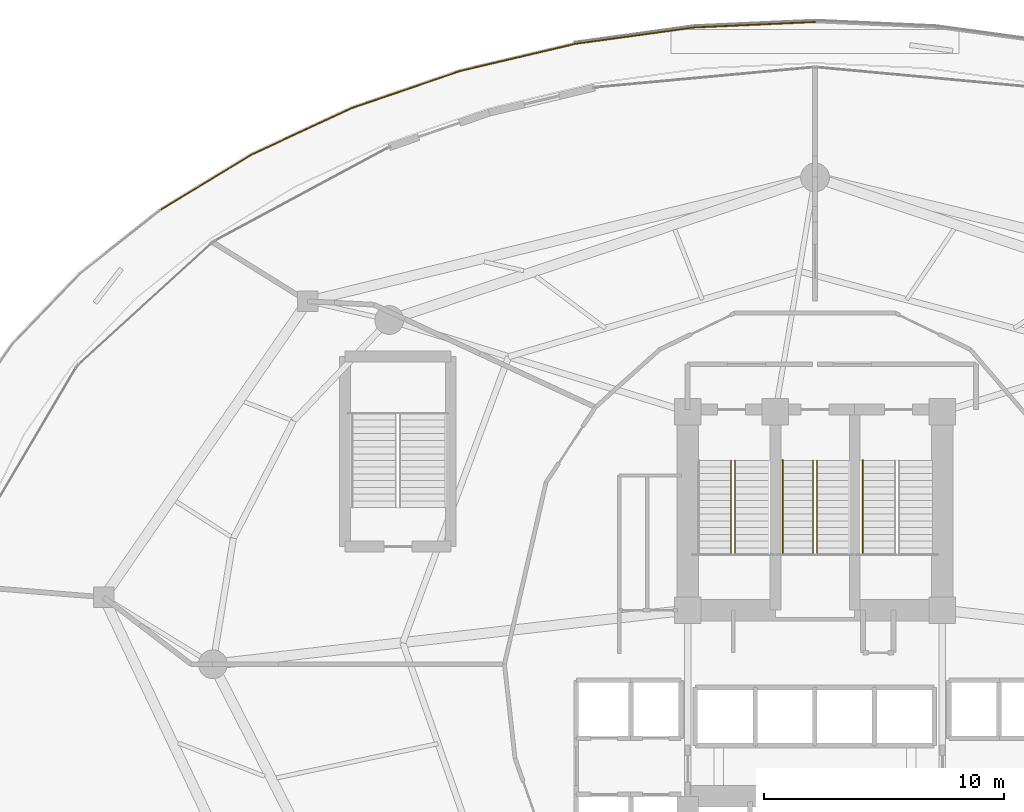
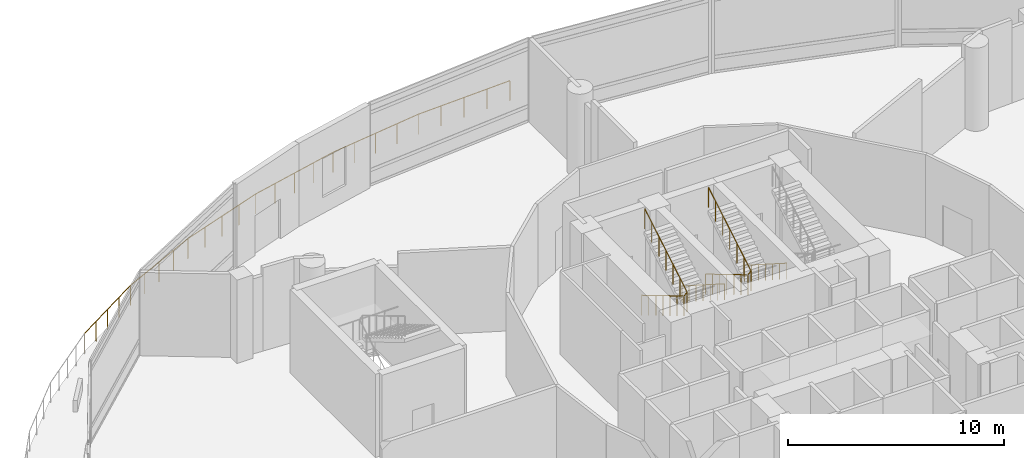
# One storey, part 34 of 36: 5 railings.
"""IFC4 building model written with IfcOpenShell, lengths in metres."""

from ifc_helpers import new_model, si_unit, direction, frame, origin, place, context, subcontext, project, spatial, polyline, outline, extrude, material, type_object, element, save


model = new_model("IFC4")

# Units and contexts
model_context = context("Model", 3, precision=1e-05, world=origin(), true_north=direction((0.0, 1.0)))
body_context = subcontext(model_context, "Body", "Model", "MODEL_VIEW")
ifc_project = project(units=[si_unit("LENGTHUNIT", "METRE"), si_unit("AREAUNIT", "SQUARE_METRE"), si_unit("VOLUMEUNIT", "CUBIC_METRE"), si_unit("PLANEANGLEUNIT", "RADIAN"), si_unit("MASSUNIT", "GRAM", prefix="KILO")], contexts=[model_context])

# Site, building, storey
site_placement = place(None, origin())
site = spatial("IfcSite", under=ifc_project, at=site_placement, CompositionType="ELEMENT")
building_placement = place(site_placement, origin())
building = spatial("IfcBuilding", under=site, at=building_placement, Name="Nuhasar Tower", CompositionType="ELEMENT")
storey_placement = place(building_placement, frame((0.0, 0.0, 11.0)))
storey = spatial("IfcBuildingStorey", under=building, at=storey_placement, Name="L02", CompositionType="ELEMENT", Elevation=11.0)

# Railings
ifc_material_1 = material(Name="Steel S355", Category="steel")
railing_type_1 = type_object("IfcRailingType", Name="RLG-STAIR-GUARD-1150", PredefinedType="GUARDRAIL", material=ifc_material_1)
railing_1_placement = place(storey_placement, frame((35.510009765625, 35.284912109375, 0.1669921875)))
element("IfcRailing", 1, at=railing_1_placement, inside=storey, type_object=railing_type_1, Name="L02 Stair ST-01 Guardrail SLT", PredefinedType="GUARDRAIL", context=body_context, shape_type="SweptSolid", body=[
    extrude(outline(polyline([(0.024169921875, 0.0), (0.01708984375, 0.01708984375), (0.0, 0.024169921875), (-0.01708984375, 0.01708984375), (-0.024169921875, 0.0), (-0.01708984375, -0.01708984375), (0.0, -0.024169921875), (0.01708984375, -0.01708984375), (0.024169921875, 0.0)])), frame((0.0, 0.0, 1.1259765625), z_axis=(0.0, -0.85931976652, 0.511438695121), x_axis=(1.0, 0.0, 0.0)), (0.0, 0.0, 1.0), 4.561767578125),
    extrude(outline(polyline([(0.024169921875, 0.0), (0.01708984375, 0.01708984375), (0.0, 0.024169921875), (-0.01708984375, 0.01708984375), (-0.024169921875, 0.0), (-0.01708984375, -0.01708984375), (0.0, -0.024169921875), (0.01708984375, -0.01708984375), (0.024169921875, 0.0)])), frame((0.0, -3.919921875, 3.458984375), z_axis=(0.691630103864, 0.0, 0.722251894722), x_axis=(0.0, 1.0, 0.0)), (0.0, 0.0, 1.0), 0.231201171875),
    extrude(outline(polyline([(0.024169921875, 0.0), (0.01708984375, 0.01708984375), (0.0, 0.024169921875), (-0.01708984375, 0.01708984375), (-0.024169921875, 0.0), (-0.01708984375, -0.01708984375), (0.0, -0.024169921875), (0.01708984375, -0.01708984375), (0.024169921875, 0.0)])), frame((0.159912109375, -3.919921875, 3.6259765625), z_axis=(0.0, 0.85931976652, 0.511438695121), x_axis=(-1.0, 0.0, 0.0)), (0.0, 0.0, 1.0), 4.561767578125),
    extrude(outline(polyline([(0.02099609375, 0.0), (0.014892578125, 0.014892578125), (0.0, 0.02099609375), (-0.014892578125, 0.014892578125), (-0.02099609375, 0.0), (-0.014892578125, -0.014892578125), (0.0, -0.02099609375), (0.014892578125, -0.014892578125), (0.02099609375, 0.0)])), origin(), (0.0, 0.0, 1.0), 1.101806640625),
    extrude(outline(polyline([(0.02099609375, 0.0), (0.014892578125, 0.014892578125), (0.0, 0.02099609375), (-0.014892578125, 0.014892578125), (-0.02099609375, 0.0), (-0.014892578125, -0.014892578125), (0.0, -0.02099609375), (0.014892578125, -0.014892578125), (0.02099609375, 0.0)])), frame((0.0, -0.6533203125, 0.388916015625)), (0.0, 0.0, 1.0), 1.101806640625),
    extrude(outline(polyline([(0.02099609375, 0.0), (0.014892578125, 0.014892578125), (0.0, 0.02099609375), (-0.014892578125, 0.014892578125), (-0.02099609375, 0.0), (-0.014892578125, -0.014892578125), (0.0, -0.02099609375), (0.014892578125, -0.014892578125), (0.02099609375, 0.0)])), frame((0.0, -1.306640625, 0.777587890625)), (0.0, 0.0, 1.0), 1.101806640625),
    extrude(outline(polyline([(0.02099609375, 0.0), (0.014892578125, 0.014892578125), (0.0, 0.02099609375), (-0.014892578125, 0.014892578125), (-0.02099609375, 0.0), (-0.014892578125, -0.014892578125), (0.0, -0.02099609375), (0.014892578125, -0.014892578125), (0.02099609375, 0.0)])), frame((0.0, -1.9599609375, 1.16650390625)), (0.0, 0.0, 1.0), 1.101806640625),
    extrude(outline(polyline([(0.02099609375, 0.0), (0.014892578125, 0.014892578125), (0.0, 0.02099609375), (-0.014892578125, 0.014892578125), (-0.02099609375, 0.0), (-0.014892578125, -0.014892578125), (0.0, -0.02099609375), (0.014892578125, -0.014892578125), (0.02099609375, 0.0)])), frame((0.0, -2.61328125, 1.555419921875)), (0.0, 0.0, 1.0), 1.101806640625),
    extrude(outline(polyline([(0.02099609375, 0.0), (0.014892578125, 0.014892578125), (0.0, 0.02099609375), (-0.014892578125, 0.014892578125), (-0.02099609375, 0.0), (-0.014892578125, -0.014892578125), (0.0, -0.02099609375), (0.014892578125, -0.014892578125), (0.02099609375, 0.0)])), frame((0.0, -3.2666015625, 1.944091796875)), (0.0, 0.0, 1.0), 1.101806640625),
    extrude(outline(polyline([(0.02099609375, 0.0), (0.014892578125, 0.014892578125), (0.0, 0.02099609375), (-0.014892578125, 0.014892578125), (-0.02099609375, 0.0), (-0.014892578125, -0.014892578125), (0.0, -0.02099609375), (0.014892578125, -0.014892578125), (0.02099609375, 0.0)])), frame((0.0, -3.919921875, 2.3330078125)), (0.0, 0.0, 1.0), 1.101806640625),
    extrude(outline(polyline([(0.02099609375, 0.0), (0.014892578125, 0.014892578125), (0.0, 0.02099609375), (-0.014892578125, 0.014892578125), (-0.02099609375, 0.0), (-0.014892578125, -0.014892578125), (0.0, -0.02099609375), (0.014892578125, -0.014892578125), (0.02099609375, 0.0)])), frame((0.159912109375, -3.919921875, 2.5)), (0.0, 0.0, 1.0), 1.101806640625),
    extrude(outline(polyline([(0.02099609375, 0.0), (0.014892578125, 0.014892578125), (0.0, 0.02099609375), (-0.014892578125, 0.014892578125), (-0.02099609375, 0.0), (-0.014892578125, -0.014892578125), (0.0, -0.02099609375), (0.014892578125, -0.014892578125), (0.02099609375, 0.0)])), frame((0.159912109375, -3.2666015625, 2.888916015625)), (0.0, 0.0, 1.0), 1.101806640625),
    extrude(outline(polyline([(0.02099609375, 0.0), (0.014892578125, 0.014892578125), (0.0, 0.02099609375), (-0.014892578125, 0.014892578125), (-0.02099609375, 0.0), (-0.014892578125, -0.014892578125), (0.0, -0.02099609375), (0.014892578125, -0.014892578125), (0.02099609375, 0.0)])), frame((0.159912109375, -2.61328125, 3.277587890625)), (0.0, 0.0, 1.0), 1.101806640625),
    extrude(outline(polyline([(0.02099609375, 0.0), (0.014892578125, 0.014892578125), (0.0, 0.02099609375), (-0.014892578125, 0.014892578125), (-0.02099609375, 0.0), (-0.014892578125, -0.014892578125), (0.0, -0.02099609375), (0.014892578125, -0.014892578125), (0.02099609375, 0.0)])), frame((0.159912109375, -1.9599609375, 3.66650390625)), (0.0, 0.0, 1.0), 1.101806640625),
    extrude(outline(polyline([(0.02099609375, 0.0), (0.014892578125, 0.014892578125), (0.0, 0.02099609375), (-0.014892578125, 0.014892578125), (-0.02099609375, 0.0), (-0.014892578125, -0.014892578125), (0.0, -0.02099609375), (0.014892578125, -0.014892578125), (0.02099609375, 0.0)])), frame((0.159912109375, -1.306640625, 4.055419921875)), (0.0, 0.0, 1.0), 1.101806640625),
    extrude(outline(polyline([(0.02099609375, 0.0), (0.014892578125, 0.014892578125), (0.0, 0.02099609375), (-0.014892578125, 0.014892578125), (-0.02099609375, 0.0), (-0.014892578125, -0.014892578125), (0.0, -0.02099609375), (0.014892578125, -0.014892578125), (0.02099609375, 0.0)])), frame((0.159912109375, -0.6533203125, 4.444091796875)), (0.0, 0.0, 1.0), 1.101806640625),
    extrude(outline(polyline([(0.02099609375, 0.0), (0.014892578125, 0.014892578125), (0.0, 0.02099609375), (-0.014892578125, 0.014892578125), (-0.02099609375, 0.0), (-0.014892578125, -0.014892578125), (0.0, -0.02099609375), (0.014892578125, -0.014892578125), (0.02099609375, 0.0)])), frame((0.159912109375, 0.0, 4.8330078125)), (0.0, 0.0, 1.0), 1.101806640625),
])
railing_2_placement = place(storey_placement, frame((38.919921875, 35.284912109375, 0.1669921875)))
element("IfcRailing", 2, at=railing_2_placement, inside=storey, type_object=railing_type_1, Name="L02 Stair ST-03 Guardrail SLT", PredefinedType="GUARDRAIL", context=body_context, shape_type="SweptSolid", body=[
    extrude(outline(polyline([(0.024169921875, 0.0), (0.01708984375, 0.01708984375), (0.0, 0.024169921875), (-0.01708984375, 0.01708984375), (-0.024169921875, 0.0), (-0.01708984375, -0.01708984375), (0.0, -0.024169921875), (0.01708984375, -0.01708984375), (0.024169921875, 0.0)])), frame((0.0, 0.0, 1.1259765625), z_axis=(0.0, -0.85931976652, 0.511438695121), x_axis=(1.0, 0.0, 0.0)), (0.0, 0.0, 1.0), 4.561767578125),
    extrude(outline(polyline([(0.024169921875, 0.0), (0.01708984375, 0.01708984375), (0.0, 0.024169921875), (-0.01708984375, 0.01708984375), (-0.024169921875, 0.0), (-0.01708984375, -0.01708984375), (0.0, -0.024169921875), (0.01708984375, -0.01708984375), (0.024169921875, 0.0)])), frame((0.0, -3.919921875, 3.458984375), z_axis=(0.692180321226, 0.0, 0.72172460323), x_axis=(0.0, 1.0, 0.0)), (0.0, 0.0, 1.0), 0.2314453125),
    extrude(outline(polyline([(0.024169921875, 0.0), (0.01708984375, 0.01708984375), (0.0, 0.024169921875), (-0.01708984375, 0.01708984375), (-0.024169921875, 0.0), (-0.01708984375, -0.01708984375), (0.0, -0.024169921875), (0.01708984375, -0.01708984375), (0.024169921875, 0.0)])), frame((0.16015625, -3.919921875, 3.6259765625), z_axis=(0.0, 0.85931976652, 0.511438695121), x_axis=(-1.0, 0.0, 0.0)), (0.0, 0.0, 1.0), 4.561767578125),
    extrude(outline(polyline([(0.02099609375, 0.0), (0.014892578125, 0.014892578125), (0.0, 0.02099609375), (-0.014892578125, 0.014892578125), (-0.02099609375, 0.0), (-0.014892578125, -0.014892578125), (0.0, -0.02099609375), (0.014892578125, -0.014892578125), (0.02099609375, 0.0)])), origin(), (0.0, 0.0, 1.0), 1.101806640625),
    extrude(outline(polyline([(0.02099609375, 0.0), (0.014892578125, 0.014892578125), (0.0, 0.02099609375), (-0.014892578125, 0.014892578125), (-0.02099609375, 0.0), (-0.014892578125, -0.014892578125), (0.0, -0.02099609375), (0.014892578125, -0.014892578125), (0.02099609375, 0.0)])), frame((0.0, -0.6533203125, 0.388916015625)), (0.0, 0.0, 1.0), 1.101806640625),
    extrude(outline(polyline([(0.02099609375, 0.0), (0.014892578125, 0.014892578125), (0.0, 0.02099609375), (-0.014892578125, 0.014892578125), (-0.02099609375, 0.0), (-0.014892578125, -0.014892578125), (0.0, -0.02099609375), (0.014892578125, -0.014892578125), (0.02099609375, 0.0)])), frame((0.0, -1.306640625, 0.777587890625)), (0.0, 0.0, 1.0), 1.101806640625),
    extrude(outline(polyline([(0.02099609375, 0.0), (0.014892578125, 0.014892578125), (0.0, 0.02099609375), (-0.014892578125, 0.014892578125), (-0.02099609375, 0.0), (-0.014892578125, -0.014892578125), (0.0, -0.02099609375), (0.014892578125, -0.014892578125), (0.02099609375, 0.0)])), frame((0.0, -1.9599609375, 1.16650390625)), (0.0, 0.0, 1.0), 1.101806640625),
    extrude(outline(polyline([(0.02099609375, 0.0), (0.014892578125, 0.014892578125), (0.0, 0.02099609375), (-0.014892578125, 0.014892578125), (-0.02099609375, 0.0), (-0.014892578125, -0.014892578125), (0.0, -0.02099609375), (0.014892578125, -0.014892578125), (0.02099609375, 0.0)])), frame((0.0, -2.61328125, 1.555419921875)), (0.0, 0.0, 1.0), 1.101806640625),
    extrude(outline(polyline([(0.02099609375, 0.0), (0.014892578125, 0.014892578125), (0.0, 0.02099609375), (-0.014892578125, 0.014892578125), (-0.02099609375, 0.0), (-0.014892578125, -0.014892578125), (0.0, -0.02099609375), (0.014892578125, -0.014892578125), (0.02099609375, 0.0)])), frame((0.0, -3.2666015625, 1.944091796875)), (0.0, 0.0, 1.0), 1.101806640625),
    extrude(outline(polyline([(0.02099609375, 0.0), (0.014892578125, 0.014892578125), (0.0, 0.02099609375), (-0.014892578125, 0.014892578125), (-0.02099609375, 0.0), (-0.014892578125, -0.014892578125), (0.0, -0.02099609375), (0.014892578125, -0.014892578125), (0.02099609375, 0.0)])), frame((0.0, -3.919921875, 2.3330078125)), (0.0, 0.0, 1.0), 1.101806640625),
    extrude(outline(polyline([(0.02099609375, 0.0), (0.014892578125, 0.014892578125), (0.0, 0.02099609375), (-0.014892578125, 0.014892578125), (-0.02099609375, 0.0), (-0.014892578125, -0.014892578125), (0.0, -0.02099609375), (0.014892578125, -0.014892578125), (0.02099609375, 0.0)])), frame((0.16015625, -3.919921875, 2.5)), (0.0, 0.0, 1.0), 1.101806640625),
    extrude(outline(polyline([(0.02099609375, 0.0), (0.014892578125, 0.014892578125), (0.0, 0.02099609375), (-0.014892578125, 0.014892578125), (-0.02099609375, 0.0), (-0.014892578125, -0.014892578125), (0.0, -0.02099609375), (0.014892578125, -0.014892578125), (0.02099609375, 0.0)])), frame((0.16015625, -3.2666015625, 2.888916015625)), (0.0, 0.0, 1.0), 1.101806640625),
    extrude(outline(polyline([(0.02099609375, 0.0), (0.014892578125, 0.014892578125), (0.0, 0.02099609375), (-0.014892578125, 0.014892578125), (-0.02099609375, 0.0), (-0.014892578125, -0.014892578125), (0.0, -0.02099609375), (0.014892578125, -0.014892578125), (0.02099609375, 0.0)])), frame((0.16015625, -2.61328125, 3.277587890625)), (0.0, 0.0, 1.0), 1.101806640625),
    extrude(outline(polyline([(0.02099609375, 0.0), (0.014892578125, 0.014892578125), (0.0, 0.02099609375), (-0.014892578125, 0.014892578125), (-0.02099609375, 0.0), (-0.014892578125, -0.014892578125), (0.0, -0.02099609375), (0.014892578125, -0.014892578125), (0.02099609375, 0.0)])), frame((0.16015625, -1.9599609375, 3.66650390625)), (0.0, 0.0, 1.0), 1.101806640625),
    extrude(outline(polyline([(0.02099609375, 0.0), (0.014892578125, 0.014892578125), (0.0, 0.02099609375), (-0.014892578125, 0.014892578125), (-0.02099609375, 0.0), (-0.014892578125, -0.014892578125), (0.0, -0.02099609375), (0.014892578125, -0.014892578125), (0.02099609375, 0.0)])), frame((0.16015625, -1.306640625, 4.055419921875)), (0.0, 0.0, 1.0), 1.101806640625),
    extrude(outline(polyline([(0.02099609375, 0.0), (0.014892578125, 0.014892578125), (0.0, 0.02099609375), (-0.014892578125, 0.014892578125), (-0.02099609375, 0.0), (-0.014892578125, -0.014892578125), (0.0, -0.02099609375), (0.014892578125, -0.014892578125), (0.02099609375, 0.0)])), frame((0.16015625, -0.6533203125, 4.444091796875)), (0.0, 0.0, 1.0), 1.101806640625),
    extrude(outline(polyline([(0.02099609375, 0.0), (0.014892578125, 0.014892578125), (0.0, 0.02099609375), (-0.014892578125, 0.014892578125), (-0.02099609375, 0.0), (-0.014892578125, -0.014892578125), (0.0, -0.02099609375), (0.014892578125, -0.014892578125), (0.02099609375, 0.0)])), frame((0.16015625, 0.0, 4.8330078125)), (0.0, 0.0, 1.0), 1.101806640625),
])
ifc_material_2 = material(Name="Stainless Steel 316L", Category="steel")
railing_type_2 = type_object("IfcRailingType", Name="RLG-STAIR-HAND-920", PredefinedType="HANDRAIL", material=ifc_material_2)
railing_3_placement = place(storey_placement, frame((37.659912109375, 35.284912109375, 0.1669921875)))
element("IfcRailing", 3, at=railing_3_placement, inside=storey, type_object=railing_type_2, Name="L02 Stair ST-03 Handrail HND1", PredefinedType="HANDRAIL", context=body_context, shape_type="SweptSolid", body=[
    extrude(outline(polyline([(0.024169921875, 0.0), (0.01708984375, 0.01708984375), (0.0, 0.024169921875), (-0.01708984375, 0.01708984375), (-0.024169921875, 0.0), (-0.01708984375, -0.01708984375), (0.0, -0.024169921875), (0.01708984375, -0.01708984375), (0.024169921875, 0.0)])), frame((0.0, 0.0, 0.89599609375), z_axis=(0.0, -0.843124831705, 0.537717879712), x_axis=(1.0, 0.0, 0.0)), (0.0, 0.0, 1.0), 4.649169921875),
    extrude(outline(polyline([(0.02099609375, 0.0), (0.014892578125, 0.014892578125), (0.0, 0.02099609375), (-0.014892578125, 0.014892578125), (-0.02099609375, 0.0), (-0.014892578125, -0.014892578125), (0.0, -0.02099609375), (0.014892578125, -0.014892578125), (0.02099609375, 0.0)])), origin(), (0.0, 0.0, 1.0), 0.871826171875),
    extrude(outline(polyline([(0.02099609375, 0.0), (0.014892578125, 0.014892578125), (0.0, 0.02099609375), (-0.014892578125, 0.014892578125), (-0.02099609375, 0.0), (-0.014892578125, -0.014892578125), (0.0, -0.02099609375), (0.014892578125, -0.014892578125), (0.02099609375, 0.0)])), frame((0.0, -0.6533203125, 0.416748046875)), (0.0, 0.0, 1.0), 0.871826171875),
    extrude(outline(polyline([(0.02099609375, 0.0), (0.014892578125, 0.014892578125), (0.0, 0.02099609375), (-0.014892578125, 0.014892578125), (-0.02099609375, 0.0), (-0.014892578125, -0.014892578125), (0.0, -0.02099609375), (0.014892578125, -0.014892578125), (0.02099609375, 0.0)])), frame((0.0, -1.306640625, 0.833251953125)), (0.0, 0.0, 1.0), 0.871826171875),
    extrude(outline(polyline([(0.02099609375, 0.0), (0.014892578125, 0.014892578125), (0.0, 0.02099609375), (-0.014892578125, 0.014892578125), (-0.02099609375, 0.0), (-0.014892578125, -0.014892578125), (0.0, -0.02099609375), (0.014892578125, -0.014892578125), (0.02099609375, 0.0)])), frame((0.0, -1.9599609375, 1.25)), (0.0, 0.0, 1.0), 0.871826171875),
    extrude(outline(polyline([(0.02099609375, 0.0), (0.014892578125, 0.014892578125), (0.0, 0.02099609375), (-0.014892578125, 0.014892578125), (-0.02099609375, 0.0), (-0.014892578125, -0.014892578125), (0.0, -0.02099609375), (0.014892578125, -0.014892578125), (0.02099609375, 0.0)])), frame((0.0, -2.61328125, 1.666748046875)), (0.0, 0.0, 1.0), 0.871826171875),
    extrude(outline(polyline([(0.02099609375, 0.0), (0.014892578125, 0.014892578125), (0.0, 0.02099609375), (-0.014892578125, 0.014892578125), (-0.02099609375, 0.0), (-0.014892578125, -0.014892578125), (0.0, -0.02099609375), (0.014892578125, -0.014892578125), (0.02099609375, 0.0)])), frame((0.0, -3.2666015625, 2.083251953125)), (0.0, 0.0, 1.0), 0.871826171875),
    extrude(outline(polyline([(0.02099609375, 0.0), (0.014892578125, 0.014892578125), (0.0, 0.02099609375), (-0.014892578125, 0.014892578125), (-0.02099609375, 0.0), (-0.014892578125, -0.014892578125), (0.0, -0.02099609375), (0.014892578125, -0.014892578125), (0.02099609375, 0.0)])), frame((0.0, -3.919921875, 2.5)), (0.0, 0.0, 1.0), 0.871826171875),
])
railing_4_placement = place(storey_placement, frame((40.989990234375, 35.284912109375, 0.1669921875)))
element("IfcRailing", 4, at=railing_4_placement, inside=storey, type_object=railing_type_2, Name="L02 Stair ST-02 Handrail HND1", PredefinedType="HANDRAIL", context=body_context, shape_type="SweptSolid", body=[
    extrude(outline(polyline([(0.024169921875, 0.0), (0.01708984375, 0.01708984375), (0.0, 0.024169921875), (-0.01708984375, 0.01708984375), (-0.024169921875, 0.0), (-0.01708984375, -0.01708984375), (0.0, -0.024169921875), (0.01708984375, -0.01708984375), (0.024169921875, 0.0)])), frame((0.0, 0.0, 0.89599609375), z_axis=(0.0, -0.843124831705, 0.537717879712), x_axis=(1.0, 0.0, 0.0)), (0.0, 0.0, 1.0), 4.649169921875),
    extrude(outline(polyline([(0.02099609375, 0.0), (0.014892578125, 0.014892578125), (0.0, 0.02099609375), (-0.014892578125, 0.014892578125), (-0.02099609375, 0.0), (-0.014892578125, -0.014892578125), (0.0, -0.02099609375), (0.014892578125, -0.014892578125), (0.02099609375, 0.0)])), origin(), (0.0, 0.0, 1.0), 0.871826171875),
    extrude(outline(polyline([(0.02099609375, 0.0), (0.014892578125, 0.014892578125), (0.0, 0.02099609375), (-0.014892578125, 0.014892578125), (-0.02099609375, 0.0), (-0.014892578125, -0.014892578125), (0.0, -0.02099609375), (0.014892578125, -0.014892578125), (0.02099609375, 0.0)])), frame((0.0, -0.6533203125, 0.416748046875)), (0.0, 0.0, 1.0), 0.871826171875),
    extrude(outline(polyline([(0.02099609375, 0.0), (0.014892578125, 0.014892578125), (0.0, 0.02099609375), (-0.014892578125, 0.014892578125), (-0.02099609375, 0.0), (-0.014892578125, -0.014892578125), (0.0, -0.02099609375), (0.014892578125, -0.014892578125), (0.02099609375, 0.0)])), frame((0.0, -1.306640625, 0.833251953125)), (0.0, 0.0, 1.0), 0.871826171875),
    extrude(outline(polyline([(0.02099609375, 0.0), (0.014892578125, 0.014892578125), (0.0, 0.02099609375), (-0.014892578125, 0.014892578125), (-0.02099609375, 0.0), (-0.014892578125, -0.014892578125), (0.0, -0.02099609375), (0.014892578125, -0.014892578125), (0.02099609375, 0.0)])), frame((0.0, -1.9599609375, 1.25)), (0.0, 0.0, 1.0), 0.871826171875),
    extrude(outline(polyline([(0.02099609375, 0.0), (0.014892578125, 0.014892578125), (0.0, 0.02099609375), (-0.014892578125, 0.014892578125), (-0.02099609375, 0.0), (-0.014892578125, -0.014892578125), (0.0, -0.02099609375), (0.014892578125, -0.014892578125), (0.02099609375, 0.0)])), frame((0.0, -2.61328125, 1.666748046875)), (0.0, 0.0, 1.0), 0.871826171875),
    extrude(outline(polyline([(0.02099609375, 0.0), (0.014892578125, 0.014892578125), (0.0, 0.02099609375), (-0.014892578125, 0.014892578125), (-0.02099609375, 0.0), (-0.014892578125, -0.014892578125), (0.0, -0.02099609375), (0.014892578125, -0.014892578125), (0.02099609375, 0.0)])), frame((0.0, -3.2666015625, 2.083251953125)), (0.0, 0.0, 1.0), 0.871826171875),
    extrude(outline(polyline([(0.02099609375, 0.0), (0.014892578125, 0.014892578125), (0.0, 0.02099609375), (-0.014892578125, 0.014892578125), (-0.02099609375, 0.0), (-0.014892578125, -0.014892578125), (0.0, -0.02099609375), (0.014892578125, -0.014892578125), (0.02099609375, 0.0)])), frame((0.0, -3.919921875, 2.5)), (0.0, 0.0, 1.0), 0.871826171875),
])
railing_type_3 = type_object("IfcRailingType", Name="RLG-TERR-1150", PredefinedType="BALUSTRADE", material=ifc_material_1)
railing_5_placement = place(storey_placement, frame((39.0, 53.52001953125, 0.0)))
element("IfcRailing", 5, at=railing_5_placement, inside=storey, type_object=railing_type_3, Name="L02 Bustan Terrace Perimeter Balustrade 03", PredefinedType="BALUSTRADE", context=body_context, shape_type="SweptSolid", body=[
    extrude(outline(polyline([(0.024169921875, 0.0), (0.01708984375, 0.01708984375), (0.0, 0.024169921875), (-0.01708984375, 0.01708984375), (-0.024169921875, 0.0), (-0.01708984375, -0.01708984375), (0.0, -0.024169921875), (0.01708984375, -0.01708984375), (0.024169921875, 0.0)])), frame((0.0, 0.0, 1.1259765625), z_axis=(-0.998964435698, -0.04549787039, 0.0), x_axis=(0.04549787039, -0.998964435698, 0.0)), (0.0, 0.0, 1.0), 5.033203125),
    extrude(outline(polyline([(0.024169921875, 0.0), (0.01708984375, 0.01708984375), (0.0, 0.024169921875), (-0.01708984375, 0.01708984375), (-0.024169921875, 0.0), (-0.01708984375, -0.01708984375), (0.0, -0.024169921875), (0.01708984375, -0.01708984375), (0.024169921875, 0.0)])), frame((-5.028076171875, -0.22900390625, 1.1259765625), z_axis=(-0.990640991668, -0.136493317151, 0.0), x_axis=(0.136493317151, -0.990640991668, 0.0)), (0.0, 0.0, 1.0), 4.988525390625),
    extrude(outline(polyline([(0.024169921875, 0.0), (0.01708984375, 0.01708984375), (0.0, 0.024169921875), (-0.01708984375, 0.01708984375), (-0.024169921875, 0.0), (-0.01708984375, -0.01708984375), (0.0, -0.024169921875), (0.01708984375, -0.01708984375), (0.024169921875, 0.0)])), frame((-9.969970703125, -0.909912109375, 1.1259765625), z_axis=(-0.973351806518, -0.229316943875, 0.0), x_axis=(0.229316943875, -0.973351806518, 0.0)), (0.0, 0.0, 1.0), 4.901611328125),
    extrude(outline(polyline([(0.024169921875, 0.0), (0.01708984375, 0.01708984375), (0.0, 0.024169921875), (-0.01708984375, 0.01708984375), (-0.024169921875, 0.0), (-0.01708984375, -0.01708984375), (0.0, -0.024169921875), (0.01708984375, -0.01708984375), (0.024169921875, 0.0)])), frame((-14.740966796875, -2.033935546875, 1.1259765625), z_axis=(-0.946154097258, -0.323716580115, 0.0), x_axis=(0.323716580115, -0.946154097258, 0.0)), (0.0, 0.0, 1.0), 4.776123046875),
    extrude(outline(polyline([(0.024169921875, 0.0), (0.01708984375, 0.01708984375), (0.0, 0.024169921875), (-0.01708984375, 0.01708984375), (-0.024169921875, 0.0), (-0.01708984375, -0.01708984375), (0.0, -0.024169921875), (0.01708984375, -0.01708984375), (0.024169921875, 0.0)])), frame((-19.260009765625, -3.580078125, 1.1259765625), z_axis=(-0.907255495287, -0.420579916629, 0.0), x_axis=(0.420579916629, -0.907255495287, 0.0)), (0.0, 0.0, 1.0), 4.6171875),
    extrude(outline(polyline([(0.024169921875, 0.0), (0.01708984375, 0.01708984375), (0.0, 0.024169921875), (-0.01708984375, 0.01708984375), (-0.024169921875, 0.0), (-0.01708984375, -0.01708984375), (0.0, -0.024169921875), (0.01708984375, -0.01708984375), (0.024169921875, 0.0)])), frame((-23.448974609375, -5.52197265625, 1.1259765625), z_axis=(-0.854478424692, -0.519486883122, 0.0), x_axis=(0.519486883122, -0.854478424692, 0.0)), (0.0, 0.0, 1.0), 4.39453125),
    extrude(outline(polyline([(0.02099609375, 0.0), (0.014892578125, 0.014892578125), (0.0, 0.02099609375), (-0.014892578125, 0.014892578125), (-0.02099609375, 0.0), (-0.014892578125, -0.014892578125), (0.0, -0.02099609375), (0.014892578125, -0.014892578125), (0.02099609375, 0.0)])), origin(), (0.0, 0.0, 1.0), 1.101806640625),
    extrude(outline(polyline([(0.02099609375, 0.0), (0.014892578125, 0.014892578125), (0.0, 0.02099609375), (-0.014892578125, 0.014892578125), (-0.02099609375, 0.0), (-0.014892578125, -0.014892578125), (0.0, -0.02099609375), (0.014892578125, -0.014892578125), (0.02099609375, 0.0)])), frame((-1.257080078125, -0.05712890625, 0.0)), (0.0, 0.0, 1.0), 1.101806640625),
    extrude(outline(polyline([(0.02099609375, 0.0), (0.014892578125, 0.014892578125), (0.0, 0.02099609375), (-0.014892578125, 0.014892578125), (-0.02099609375, 0.0), (-0.014892578125, -0.014892578125), (0.0, -0.02099609375), (0.014892578125, -0.014892578125), (0.02099609375, 0.0)])), frame((-2.51416015625, -0.114501953125, 0.0)), (0.0, 0.0, 1.0), 1.101806640625),
    extrude(outline(polyline([(0.02099609375, 0.0), (0.014892578125, 0.014892578125), (0.0, 0.02099609375), (-0.014892578125, 0.014892578125), (-0.02099609375, 0.0), (-0.014892578125, -0.014892578125), (0.0, -0.02099609375), (0.014892578125, -0.014892578125), (0.02099609375, 0.0)])), frame((-3.77099609375, -0.171875, 0.0)), (0.0, 0.0, 1.0), 1.101806640625),
    extrude(outline(polyline([(0.02099609375, 0.0), (0.014892578125, 0.014892578125), (0.0, 0.02099609375), (-0.014892578125, 0.014892578125), (-0.02099609375, 0.0), (-0.014892578125, -0.014892578125), (0.0, -0.02099609375), (0.014892578125, -0.014892578125), (0.02099609375, 0.0)])), frame((-5.028076171875, -0.22900390625, 0.0)), (0.0, 0.0, 1.0), 1.101806640625),
    extrude(outline(polyline([(0.02099609375, 0.0), (0.014892578125, 0.014892578125), (0.0, 0.02099609375), (-0.014892578125, 0.014892578125), (-0.02099609375, 0.0), (-0.014892578125, -0.014892578125), (0.0, -0.02099609375), (0.014892578125, -0.014892578125), (0.02099609375, 0.0)])), frame((-6.263671875, -0.399169921875, 0.0)), (0.0, 0.0, 1.0), 1.101806640625),
    extrude(outline(polyline([(0.02099609375, 0.0), (0.014892578125, 0.014892578125), (0.0, 0.02099609375), (-0.014892578125, 0.014892578125), (-0.02099609375, 0.0), (-0.014892578125, -0.014892578125), (0.0, -0.02099609375), (0.014892578125, -0.014892578125), (0.02099609375, 0.0)])), frame((-7.4990234375, -0.5693359375, 0.0)), (0.0, 0.0, 1.0), 1.101806640625),
    extrude(outline(polyline([(0.02099609375, 0.0), (0.014892578125, 0.014892578125), (0.0, 0.02099609375), (-0.014892578125, 0.014892578125), (-0.02099609375, 0.0), (-0.014892578125, -0.014892578125), (0.0, -0.02099609375), (0.014892578125, -0.014892578125), (0.02099609375, 0.0)])), frame((-8.734375, -0.73974609375, 0.0)), (0.0, 0.0, 1.0), 1.101806640625),
    extrude(outline(polyline([(0.02099609375, 0.0), (0.014892578125, 0.014892578125), (0.0, 0.02099609375), (-0.014892578125, 0.014892578125), (-0.02099609375, 0.0), (-0.014892578125, -0.014892578125), (0.0, -0.02099609375), (0.014892578125, -0.014892578125), (0.02099609375, 0.0)])), frame((-9.969970703125, -0.909912109375, 0.0)), (0.0, 0.0, 1.0), 1.101806640625),
    extrude(outline(polyline([(0.02099609375, 0.0), (0.014892578125, 0.014892578125), (0.0, 0.02099609375), (-0.014892578125, 0.014892578125), (-0.02099609375, 0.0), (-0.014892578125, -0.014892578125), (0.0, -0.02099609375), (0.014892578125, -0.014892578125), (0.02099609375, 0.0)])), frame((-11.16259765625, -1.19091796875, 0.0)), (0.0, 0.0, 1.0), 1.101806640625),
    extrude(outline(polyline([(0.02099609375, 0.0), (0.014892578125, 0.014892578125), (0.0, 0.02099609375), (-0.014892578125, 0.014892578125), (-0.02099609375, 0.0), (-0.014892578125, -0.014892578125), (0.0, -0.02099609375), (0.014892578125, -0.014892578125), (0.02099609375, 0.0)])), frame((-12.35546875, -1.471923828125, 0.0)), (0.0, 0.0, 1.0), 1.101806640625),
    extrude(outline(polyline([(0.02099609375, 0.0), (0.014892578125, 0.014892578125), (0.0, 0.02099609375), (-0.014892578125, 0.014892578125), (-0.02099609375, 0.0), (-0.014892578125, -0.014892578125), (0.0, -0.02099609375), (0.014892578125, -0.014892578125), (0.02099609375, 0.0)])), frame((-13.54833984375, -1.7529296875, 0.0)), (0.0, 0.0, 1.0), 1.101806640625),
    extrude(outline(polyline([(0.02099609375, 0.0), (0.014892578125, 0.014892578125), (0.0, 0.02099609375), (-0.014892578125, 0.014892578125), (-0.02099609375, 0.0), (-0.014892578125, -0.014892578125), (0.0, -0.02099609375), (0.014892578125, -0.014892578125), (0.02099609375, 0.0)])), frame((-14.740966796875, -2.033935546875, 0.0)), (0.0, 0.0, 1.0), 1.101806640625),
    extrude(outline(polyline([(0.02099609375, 0.0), (0.014892578125, 0.014892578125), (0.0, 0.02099609375), (-0.014892578125, 0.014892578125), (-0.02099609375, 0.0), (-0.014892578125, -0.014892578125), (0.0, -0.02099609375), (0.014892578125, -0.014892578125), (0.02099609375, 0.0)])), frame((-15.87060546875, -2.42041015625, 0.0)), (0.0, 0.0, 1.0), 1.101806640625),
    extrude(outline(polyline([(0.02099609375, 0.0), (0.014892578125, 0.014892578125), (0.0, 0.02099609375), (-0.014892578125, 0.014892578125), (-0.02099609375, 0.0), (-0.014892578125, -0.014892578125), (0.0, -0.02099609375), (0.014892578125, -0.014892578125), (0.02099609375, 0.0)])), frame((-17.00048828125, -2.80712890625, 0.0)), (0.0, 0.0, 1.0), 1.101806640625),
    extrude(outline(polyline([(0.02099609375, 0.0), (0.014892578125, 0.014892578125), (0.0, 0.02099609375), (-0.014892578125, 0.014892578125), (-0.02099609375, 0.0), (-0.014892578125, -0.014892578125), (0.0, -0.02099609375), (0.014892578125, -0.014892578125), (0.02099609375, 0.0)])), frame((-18.13037109375, -3.193603515625, 0.0)), (0.0, 0.0, 1.0), 1.101806640625),
    extrude(outline(polyline([(0.02099609375, 0.0), (0.014892578125, 0.014892578125), (0.0, 0.02099609375), (-0.014892578125, 0.014892578125), (-0.02099609375, 0.0), (-0.014892578125, -0.014892578125), (0.0, -0.02099609375), (0.014892578125, -0.014892578125), (0.02099609375, 0.0)])), frame((-19.260009765625, -3.580078125, 0.0)), (0.0, 0.0, 1.0), 1.101806640625),
    extrude(outline(polyline([(0.02099609375, 0.0), (0.014892578125, 0.014892578125), (0.0, 0.02099609375), (-0.014892578125, 0.014892578125), (-0.02099609375, 0.0), (-0.014892578125, -0.014892578125), (0.0, -0.02099609375), (0.014892578125, -0.014892578125), (0.02099609375, 0.0)])), frame((-20.30712890625, -4.0654296875, 0.0)), (0.0, 0.0, 1.0), 1.101806640625),
    extrude(outline(polyline([(0.02099609375, 0.0), (0.014892578125, 0.014892578125), (0.0, 0.02099609375), (-0.014892578125, 0.014892578125), (-0.02099609375, 0.0), (-0.014892578125, -0.014892578125), (0.0, -0.02099609375), (0.014892578125, -0.014892578125), (0.02099609375, 0.0)])), frame((-21.3544921875, -4.551025390625, 0.0)), (0.0, 0.0, 1.0), 1.101806640625),
    extrude(outline(polyline([(0.02099609375, 0.0), (0.014892578125, 0.014892578125), (0.0, 0.02099609375), (-0.014892578125, 0.014892578125), (-0.02099609375, 0.0), (-0.014892578125, -0.014892578125), (0.0, -0.02099609375), (0.014892578125, -0.014892578125), (0.02099609375, 0.0)])), frame((-22.40185546875, -5.03662109375, 0.0)), (0.0, 0.0, 1.0), 1.101806640625),
    extrude(outline(polyline([(0.02099609375, 0.0), (0.014892578125, 0.014892578125), (0.0, 0.02099609375), (-0.014892578125, 0.014892578125), (-0.02099609375, 0.0), (-0.014892578125, -0.014892578125), (0.0, -0.02099609375), (0.014892578125, -0.014892578125), (0.02099609375, 0.0)])), frame((-23.448974609375, -5.52197265625, 0.0)), (0.0, 0.0, 1.0), 1.101806640625),
    extrude(outline(polyline([(0.02099609375, 0.0), (0.014892578125, 0.014892578125), (0.0, 0.02099609375), (-0.014892578125, 0.014892578125), (-0.02099609375, 0.0), (-0.014892578125, -0.014892578125), (0.0, -0.02099609375), (0.014892578125, -0.014892578125), (0.02099609375, 0.0)])), frame((-24.3876953125, -6.0927734375, 0.0)), (0.0, 0.0, 1.0), 1.101806640625),
    extrude(outline(polyline([(0.02099609375, 0.0), (0.014892578125, 0.014892578125), (0.0, 0.02099609375), (-0.014892578125, 0.014892578125), (-0.02099609375, 0.0), (-0.014892578125, -0.014892578125), (0.0, -0.02099609375), (0.014892578125, -0.014892578125), (0.02099609375, 0.0)])), frame((-25.32666015625, -6.66357421875, 0.0)), (0.0, 0.0, 1.0), 1.101806640625),
    extrude(outline(polyline([(0.02099609375, 0.0), (0.014892578125, 0.014892578125), (0.0, 0.02099609375), (-0.014892578125, 0.014892578125), (-0.02099609375, 0.0), (-0.014892578125, -0.014892578125), (0.0, -0.02099609375), (0.014892578125, -0.014892578125), (0.02099609375, 0.0)])), frame((-26.265380859375, -7.234130859375, 0.0)), (0.0, 0.0, 1.0), 1.101806640625),
    extrude(outline(polyline([(0.02099609375, 0.0), (0.014892578125, 0.014892578125), (0.0, 0.02099609375), (-0.014892578125, 0.014892578125), (-0.02099609375, 0.0), (-0.014892578125, -0.014892578125), (0.0, -0.02099609375), (0.014892578125, -0.014892578125), (0.02099609375, 0.0)])), frame((-27.2041015625, -7.804931640625, 0.0)), (0.0, 0.0, 1.0), 1.101806640625),
])

save(model, "model.ifc")
